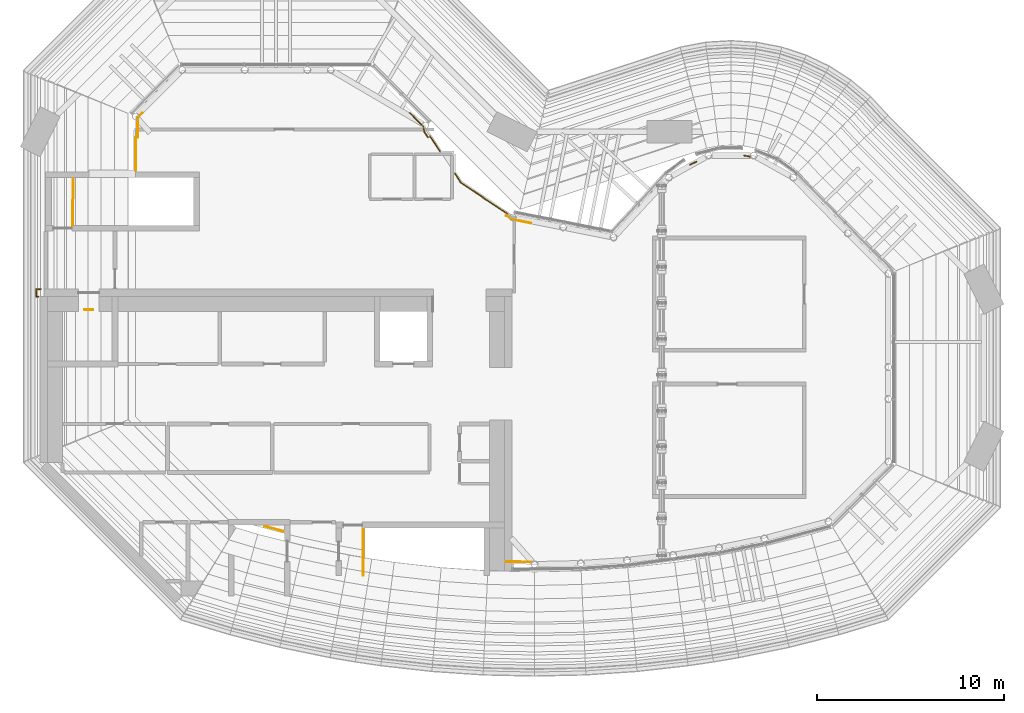
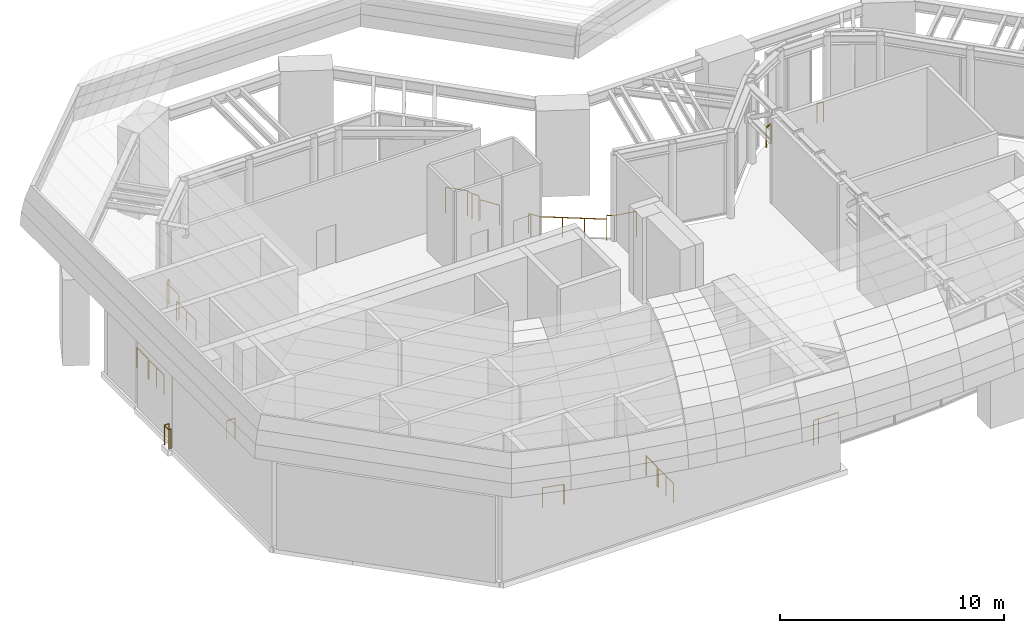
# One storey, part 20 of 20: 16 railings.
"""IFC4 building model written with IfcOpenShell, lengths in metres."""

from ifc_helpers import new_model, si_unit, direction, frame, origin, origin_2d, place, context, subcontext, project, spatial, circle, extrude, material, type_object, element, save


model = new_model("IFC4")

# Units and contexts
model_context = context("Model", 3, precision=1e-05, world=origin(), true_north=direction((0.0, 1.0)))
body_context = subcontext(model_context, "Body", "Model", "MODEL_VIEW")
ifc_project = project(units=[si_unit("LENGTHUNIT", "METRE"), si_unit("AREAUNIT", "SQUARE_METRE"), si_unit("VOLUMEUNIT", "CUBIC_METRE"), si_unit("PLANEANGLEUNIT", "RADIAN"), si_unit("MASSUNIT", "GRAM", prefix="KILO")], contexts=[model_context])

# Site, building, storey
site_placement = place(None, origin())
site = spatial("IfcSite", under=ifc_project, at=site_placement, CompositionType="ELEMENT")
building_placement = place(site_placement, origin())
building = spatial("IfcBuilding", under=site, at=building_placement, Name="Brevane Broadcast Tower", CompositionType="ELEMENT")
storey_placement = place(building_placement, frame((0.0, 0.0, 264.199951171875)))
storey = spatial("IfcBuildingStorey", under=building, at=storey_placement, Name="L66", CompositionType="ELEMENT", Elevation=264.199951171875)

# Railings
ifc_material_1 = material(Name="Stainless steel 1.4404", Category="steel")
railing_type_1 = type_object("IfcRailingType", Name="Deck guard 1400", PredefinedType="GUARDRAIL", material=ifc_material_1)
railing_1_placement = place(storey_placement, frame((5.219970703125, 24.89990234375, 0.0)))
element("IfcRailing", 1, at=railing_1_placement, inside=storey, type_object=railing_type_1, Name="Roof deck guard", PredefinedType="GUARDRAIL", context=body_context, shape_type="SweptSolid", body=[
    extrude(circle(Radius=0.02392578125, at=origin_2d()), frame((0.0, 0.0, 1.3759765625), z_axis=(0.0, 1.0, 0.0), x_axis=(-1.0, 0.0, 0.0)), (0.0, 0.0, 1.0), 1.065185546875),
    extrude(circle(Radius=0.02392578125, at=origin_2d()), frame((0.0, 1.065185546875, 1.3759765625), z_axis=(0.707474013925, 0.706739357628, 0.0), x_axis=(-0.706739357628, 0.707474013925, 0.0)), (0.0, 0.0, 1.0), 0.332275390625),
    extrude(circle(Radius=0.02099609375, at=origin_2d()), origin(), (0.0, 0.0, 1.0), 1.351806640625),
    extrude(circle(Radius=0.02099609375, at=origin_2d()), frame((0.0, 1.065185546875, 0.0)), (0.0, 0.0, 1.0), 1.351806640625),
    extrude(circle(Radius=0.02099609375, at=origin_2d()), frame((0.235107421875, 1.300048828125, 0.0)), (0.0, 0.0, 1.0), 1.351806640625),
])
railing_2_placement = place(storey_placement, frame((19.7451171875, 26.199951171875, 0.0)))
element("IfcRailing", 2, at=railing_2_placement, inside=storey, type_object=railing_type_1, Name="Roof deck guard", PredefinedType="GUARDRAIL", context=body_context, shape_type="SweptSolid", body=[
    extrude(circle(Radius=0.02392578125, at=origin_2d()), frame((0.0, 0.0, 1.3759765625), z_axis=(0.706986001143, -0.707227540603, 0.0), x_axis=(0.707227540603, 0.706986001143, 0.0)), (0.0, 0.0, 1.0), 1.0107421875),
    extrude(circle(Radius=0.02392578125, at=origin_2d()), frame((0.714599609375, -0.71484375, 1.3759765625), z_axis=(0.195484277114, -0.980706835604, 0.0), x_axis=(0.980706835604, 0.195484277114, 0.0)), (0.0, 0.0, 1.0), 0.297119140625),
    extrude(circle(Radius=0.02392578125, at=origin_2d()), frame((0.772705078125, -1.00634765625, 1.3759765625), z_axis=(0.55565675835, -0.831411791412, 0.0), x_axis=(0.831411791412, 0.55565675835, 0.0)), (0.0, 0.0, 1.0), 0.353271484375),
    extrude(circle(Radius=0.02099609375, at=origin_2d()), origin(), (0.0, 0.0, 1.0), 1.351806640625),
    extrude(circle(Radius=0.02099609375, at=origin_2d()), frame((0.714599609375, -0.71484375, 0.0)), (0.0, 0.0, 1.0), 1.351806640625),
    extrude(circle(Radius=0.02099609375, at=origin_2d()), frame((0.772705078125, -1.00634765625, 0.0)), (0.0, 0.0, 1.0), 1.351806640625),
    extrude(circle(Radius=0.02099609375, at=origin_2d()), frame((0.968994140625, -1.300048828125, 0.0)), (0.0, 0.0, 1.0), 1.351806640625),
])
railing_3_placement = place(storey_placement, frame((24.89990234375, 20.714111328125, 0.0)))
element("IfcRailing", 3, at=railing_3_placement, inside=storey, type_object=railing_type_1, Name="Roof deck guard", PredefinedType="GUARDRAIL", context=body_context, shape_type="SweptSolid", body=[
    extrude(circle(Radius=0.02392578125, at=origin_2d()), frame((0.0, 0.0, 1.3759765625), z_axis=(0.831411791412, -0.55565675835, 0.0), x_axis=(0.55565675835, 0.831411791412, 0.0)), (0.0, 0.0, 1.0), 0.353271484375),
    extrude(circle(Radius=0.02392578125, at=origin_2d()), frame((0.293701171875, -0.1962890625, 1.3759765625), z_axis=(0.980781491343, -0.195109369942, 0.0), x_axis=(0.195109369942, 0.980781491343, 0.0)), (0.0, 0.0, 1.0), 1.026123046875),
    extrude(circle(Radius=0.02099609375, at=origin_2d()), origin(), (0.0, 0.0, 1.0), 1.351806640625),
    extrude(circle(Radius=0.02099609375, at=origin_2d()), frame((0.293701171875, -0.1962890625, 0.0)), (0.0, 0.0, 1.0), 1.351806640625),
    extrude(circle(Radius=0.02099609375, at=origin_2d()), frame((1.300048828125, -0.396484375, 0.0)), (0.0, 0.0, 1.0), 1.351806640625),
])
railing_4_placement = place(storey_placement, frame((26.199951171875, 2.22265625, 0.0)))
element("IfcRailing", 4, at=railing_4_placement, inside=storey, type_object=railing_type_1, Name="Roof deck guard", PredefinedType="GUARDRAIL", context=body_context, shape_type="SweptSolid", body=[
    extrude(circle(Radius=0.02392578125, at=origin_2d()), frame((0.0, 0.0, 1.3759765625), z_axis=(-0.999935865931, 0.011325370827, 0.0), x_axis=(-0.011325370827, -0.999935865931, 0.0)), (0.0, 0.0, 1.0), 1.03466796875),
    extrude(circle(Radius=0.02392578125, at=origin_2d()), frame((-1.03466796875, 0.01171875, 1.3759765625), z_axis=(-0.999452027415, 0.033100527127, 0.0), x_axis=(-0.033100527127, -0.999452027415, 0.0)), (0.0, 0.0, 1.0), 0.265625),
    extrude(circle(Radius=0.02099609375, at=origin_2d()), origin(), (0.0, 0.0, 1.0), 1.351806640625),
    extrude(circle(Radius=0.02099609375, at=origin_2d()), frame((-1.03466796875, 0.01171875, 0.0)), (0.0, 0.0, 1.0), 1.351806640625),
    extrude(circle(Radius=0.02099609375, at=origin_2d()), frame((-1.300048828125, 0.0205078125, 0.0)), (0.0, 0.0, 1.0), 1.351806640625),
])
ifc_material_2 = material(Name="Steel S355", Category="steel")
railing_type_2 = type_object("IfcRailingType", Name="Exit stair guard", PredefinedType="GUARDRAIL", material=ifc_material_2)
for number, where, name in (
    (5, (1.75, 20.199951171875, 0.0), "L66 ST-1 top well guard 1"),
    (6, (17.25, 1.5, 0.0), "L66 ST-2 top well guard 1"),
):
    element("IfcRailing", number, at=place(storey_placement, frame(where)), inside=storey, type_object=railing_type_2, Name=name, PredefinedType="GUARDRAIL", context=body_context, shape_type="SweptSolid", body=[
        extrude(circle(Radius=0.02392578125, at=origin_2d()), frame((0.0, 0.0, 1.076171875), z_axis=(0.0, 1.0, 0.0), x_axis=(-1.0, 0.0, 0.0)), (0.0, 0.0, 1.0), 1.35009765625),
        extrude(circle(Radius=0.02099609375, at=origin_2d()), origin(), (0.0, 0.0, 1.0), 1.052001953125),
        extrude(circle(Radius=0.02099609375, at=origin_2d()), frame((0.0, 0.675048828125, 0.0)), (0.0, 0.0, 1.0), 1.052001953125),
        extrude(circle(Radius=0.02099609375, at=origin_2d()), frame((0.0, 1.35009765625, 0.0)), (0.0, 0.0, 1.0), 1.052001953125),
    ])
railing_type_3 = type_object("IfcRailingType", Name="Terrace guard 1100", PredefinedType="GUARDRAIL", material=ifc_material_1)
railing_5_placement = place(storey_placement, frame((-0.08837890625, 16.39990234375, 0.0)))
element("IfcRailing", 7, at=railing_5_placement, inside=storey, type_object=railing_type_3, Name="Lookout deck guard", PredefinedType="GUARDRAIL", context=body_context, shape_type="SweptSolid", body=[
    extrude(circle(Radius=0.02392578125, at=origin_2d()), frame((0.0, 0.0, 1.076171875), z_axis=(-1.0, 0.0, 0.0), x_axis=(0.0, -1.0, 0.0)), (0.0, 0.0, 1.0), 0.111572265625),
    extrude(circle(Radius=0.02392578125, at=origin_2d()), frame((-0.111572265625, 0.0, 1.076171875), z_axis=(0.0, 1.0, 0.0), x_axis=(-1.0, 0.0, 0.0)), (0.0, 0.0, 1.0), 0.400146484375),
    extrude(circle(Radius=0.02392578125, at=origin_2d()), frame((-0.111572265625, 0.400146484375, 1.076171875), z_axis=(1.0, 0.0, 0.0), x_axis=(0.0, 1.0, 0.0)), (0.0, 0.0, 1.0), 0.24560546875),
    extrude(circle(Radius=0.02099609375, at=origin_2d()), origin(), (0.0, 0.0, 1.0), 1.052001953125),
    extrude(circle(Radius=0.02099609375, at=origin_2d()), frame((-0.111572265625, 0.0, 0.0)), (0.0, 0.0, 1.0), 1.052001953125),
    extrude(circle(Radius=0.02099609375, at=origin_2d()), frame((-0.111572265625, 0.400146484375, 0.0)), (0.0, 0.0, 1.0), 1.052001953125),
    extrude(circle(Radius=0.02099609375, at=origin_2d()), frame((0.134033203125, 0.400146484375, 0.0)), (0.0, 0.0, 1.0), 1.052001953125),
])
railing_6_placement = place(storey_placement, frame((5.10107421875, 23.138427734375, 0.0)))
element("IfcRailing", 8, at=railing_6_placement, inside=storey, type_object=railing_type_3, Name="Lookout deck guard", PredefinedType="GUARDRAIL", context=body_context, shape_type="SweptSolid", body=[
    extrude(circle(Radius=0.02392578125, at=origin_2d()), frame((0.0, 0.0, 1.076171875), z_axis=(0.0, 1.0, 0.0), x_axis=(-1.0, 0.0, 0.0)), (0.0, 0.0, 1.0), 1.752685546875),
    extrude(circle(Radius=0.02099609375, at=origin_2d()), origin(), (0.0, 0.0, 1.0), 1.052001953125),
    extrude(circle(Radius=0.02099609375, at=origin_2d()), frame((0.0, 0.87646484375, 0.0)), (0.0, 0.0, 1.0), 1.052001953125),
    extrude(circle(Radius=0.02099609375, at=origin_2d()), frame((0.0, 1.752685546875, 0.0)), (0.0, 0.0, 1.0), 1.052001953125),
])
railing_7_placement = place(storey_placement, frame((20.81787109375, 24.958984375, 0.0)))
element("IfcRailing", 9, at=railing_7_placement, inside=storey, type_object=railing_type_3, Name="Lookout deck guard", PredefinedType="GUARDRAIL", context=body_context, shape_type="SweptSolid", body=[
    extrude(circle(Radius=0.02392578125, at=origin_2d()), frame((0.0, 0.0, 1.076171875), z_axis=(0.55545431998, -0.831547051234, 0.0), x_axis=(0.831547051234, 0.55545431998, 0.0)), (0.0, 0.0, 1.0), 0.970947265625),
    extrude(circle(Radius=0.02099609375, at=origin_2d()), origin(), (0.0, 0.0, 1.0), 1.052001953125),
    extrude(circle(Radius=0.02099609375, at=origin_2d()), frame((0.539306640625, -0.807373046875, 0.0)), (0.0, 0.0, 1.0), 1.052001953125),
])
railing_8_placement = place(storey_placement, frame((22.15478515625, 22.957763671875, 0.0)))
element("IfcRailing", 10, at=railing_8_placement, inside=storey, type_object=railing_type_3, Name="Lookout deck guard", PredefinedType="GUARDRAIL", context=body_context, shape_type="SweptSolid", body=[
    extrude(circle(Radius=0.02392578125, at=origin_2d()), frame((0.0, 0.0, 1.076171875), z_axis=(0.555576038047, -0.831465733478, 0.0), x_axis=(0.831465733478, 0.555576038047, 0.0)), (0.0, 0.0, 1.0), 0.578857421875),
    extrude(circle(Radius=0.02392578125, at=origin_2d()), frame((0.321533203125, -0.481201171875, 1.076171875), z_axis=(0.831471138019, -0.555567949617, 0.0), x_axis=(0.555567949617, 0.831471138019, 0.0)), (0.0, 0.0, 1.0), 2.985595703125),
    extrude(circle(Radius=0.02099609375, at=origin_2d()), origin(), (0.0, 0.0, 1.0), 1.052001953125),
    extrude(circle(Radius=0.02099609375, at=origin_2d()), frame((0.321533203125, -0.481201171875, 0.0)), (0.0, 0.0, 1.0), 1.052001953125),
    extrude(circle(Radius=0.02099609375, at=origin_2d()), frame((1.14892578125, -1.0341796875, 0.0)), (0.0, 0.0, 1.0), 1.052001953125),
    extrude(circle(Radius=0.02099609375, at=origin_2d()), frame((1.9765625, -1.5869140625, 0.0)), (0.0, 0.0, 1.0), 1.052001953125),
    extrude(circle(Radius=0.02099609375, at=origin_2d()), frame((2.803955078125, -2.139892578125, 0.0)), (0.0, 0.0, 1.0), 1.052001953125),
])
railing_9_placement = place(storey_placement, frame((34.7099609375, 23.44091796875, 0.0)))
element("IfcRailing", 11, at=railing_9_placement, inside=storey, type_object=railing_type_3, Name="Lookout deck guard", PredefinedType="GUARDRAIL", context=body_context, shape_type="SweptSolid", body=[
    extrude(circle(Radius=0.02392578125, at=origin_2d()), frame((0.0, 0.0, 1.076171875), z_axis=(0.903063984632, 0.429506041471, 0.0), x_axis=(-0.429506041471, 0.903063984632, 0.0)), (0.0, 0.0, 1.0), 0.376953125),
    extrude(circle(Radius=0.02099609375, at=origin_2d()), origin(), (0.0, 0.0, 1.0), 1.052001953125),
    extrude(circle(Radius=0.02099609375, at=origin_2d()), frame((0.34033203125, 0.161865234375, 0.0)), (0.0, 0.0, 1.0), 1.052001953125),
])
railing_10_placement = place(storey_placement, frame((37.6044921875, 23.928955078125, 0.0)))
element("IfcRailing", 12, at=railing_10_placement, inside=storey, type_object=railing_type_3, Name="Lookout deck guard", PredefinedType="GUARDRAIL", context=body_context, shape_type="SweptSolid", body=[
    extrude(circle(Radius=0.02392578125, at=origin_2d()), frame((0.0, 0.0, 1.076171875), z_axis=(0.981852014844, -0.189648677684, 0.0), x_axis=(0.189648677684, 0.981852014844, 0.0)), (0.0, 0.0, 1.0), 0.30517578125),
    extrude(circle(Radius=0.02099609375, at=origin_2d()), origin(), (0.0, 0.0, 1.0), 1.052001953125),
    extrude(circle(Radius=0.02099609375, at=origin_2d()), frame((0.299560546875, -0.057861328125, 0.0)), (0.0, 0.0, 1.0), 1.052001953125),
])
railing_11_placement = place(storey_placement, frame((17.260009765625, 3.961669921875, 0.0)))
element("IfcRailing", 13, at=railing_11_placement, inside=storey, type_object=railing_type_3, Name="Lookout deck guard", PredefinedType="GUARDRAIL", context=body_context, shape_type="SweptSolid", body=[
    extrude(circle(Radius=0.02392578125, at=origin_2d()), frame((0.0, 0.0, 1.076171875), z_axis=(0.0, -1.0, 0.0), x_axis=(1.0, 0.0, 0.0)), (0.0, 0.0, 1.0), 0.9990234375),
    extrude(circle(Radius=0.02099609375, at=origin_2d()), origin(), (0.0, 0.0, 1.0), 1.052001953125),
    extrude(circle(Radius=0.02099609375, at=origin_2d()), frame((0.0, -0.9990234375, 0.0)), (0.0, 0.0, 1.0), 1.052001953125),
])
railing_12_placement = place(storey_placement, frame((12.98291015625, 3.864501953125, 0.0)))
element("IfcRailing", 14, at=railing_12_placement, inside=storey, type_object=railing_type_3, Name="Lookout deck guard", PredefinedType="GUARDRAIL", context=body_context, shape_type="SweptSolid", body=[
    extrude(circle(Radius=0.02392578125, at=origin_2d()), frame((0.0, 0.0, 1.076171875), z_axis=(-0.972956217955, 0.230989605702, 0.0), x_axis=(-0.230989605702, -0.972956217955, 0.0)), (0.0, 0.0, 1.0), 0.034912109375),
    extrude(circle(Radius=0.02392578125, at=origin_2d()), frame((-0.033935546875, 0.008056640625, 1.076171875), z_axis=(-0.966721411529, 0.255831414199, 0.0), x_axis=(-0.255831414199, -0.966721411529, 0.0)), (0.0, 0.0, 1.0), 0.98779296875),
    extrude(circle(Radius=0.02099609375, at=origin_2d()), origin(), (0.0, 0.0, 1.0), 1.052001953125),
    extrude(circle(Radius=0.02099609375, at=origin_2d()), frame((-0.033935546875, 0.008056640625, 0.0)), (0.0, 0.0, 1.0), 1.052001953125),
    extrude(circle(Radius=0.02099609375, at=origin_2d()), frame((-0.98876953125, 0.2607421875, 0.0)), (0.0, 0.0, 1.0), 1.052001953125),
])
railing_13_placement = place(storey_placement, frame((1.760009765625, 22.66162109375, 0.0)))
element("IfcRailing", 15, at=railing_13_placement, inside=storey, type_object=railing_type_3, Name="Lookout deck guard", PredefinedType="GUARDRAIL", context=body_context, shape_type="SweptSolid", body=[
    extrude(circle(Radius=0.02392578125, at=origin_2d()), frame((0.0, 0.0, 1.076171875), z_axis=(0.0, -1.0, 0.0), x_axis=(1.0, 0.0, 0.0)), (0.0, 0.0, 1.0), 0.9990234375),
    extrude(circle(Radius=0.02099609375, at=origin_2d()), origin(), (0.0, 0.0, 1.0), 1.052001953125),
    extrude(circle(Radius=0.02099609375, at=origin_2d()), frame((0.0, -0.9990234375, 0.0)), (0.0, 0.0, 1.0), 1.052001953125),
])
railing_14_placement = place(storey_placement, frame((2.815185546875, 15.699951171875, 0.0)))
element("IfcRailing", 16, at=railing_14_placement, inside=storey, type_object=railing_type_3, Name="Lookout deck guard", PredefinedType="GUARDRAIL", context=body_context, shape_type="SweptSolid", body=[
    extrude(circle(Radius=0.02392578125, at=origin_2d()), frame((0.0, 0.0, 1.076171875), z_axis=(-1.0, 0.0, 0.0), x_axis=(0.0, -1.0, 0.0)), (0.0, 0.0, 1.0), 0.430419921875),
    extrude(circle(Radius=0.02099609375, at=origin_2d()), origin(), (0.0, 0.0, 1.0), 1.052001953125),
    extrude(circle(Radius=0.02099609375, at=origin_2d()), frame((-0.430419921875, 0.0, 0.0)), (0.0, 0.0, 1.0), 1.052001953125),
])

save(model, "model.ifc")
